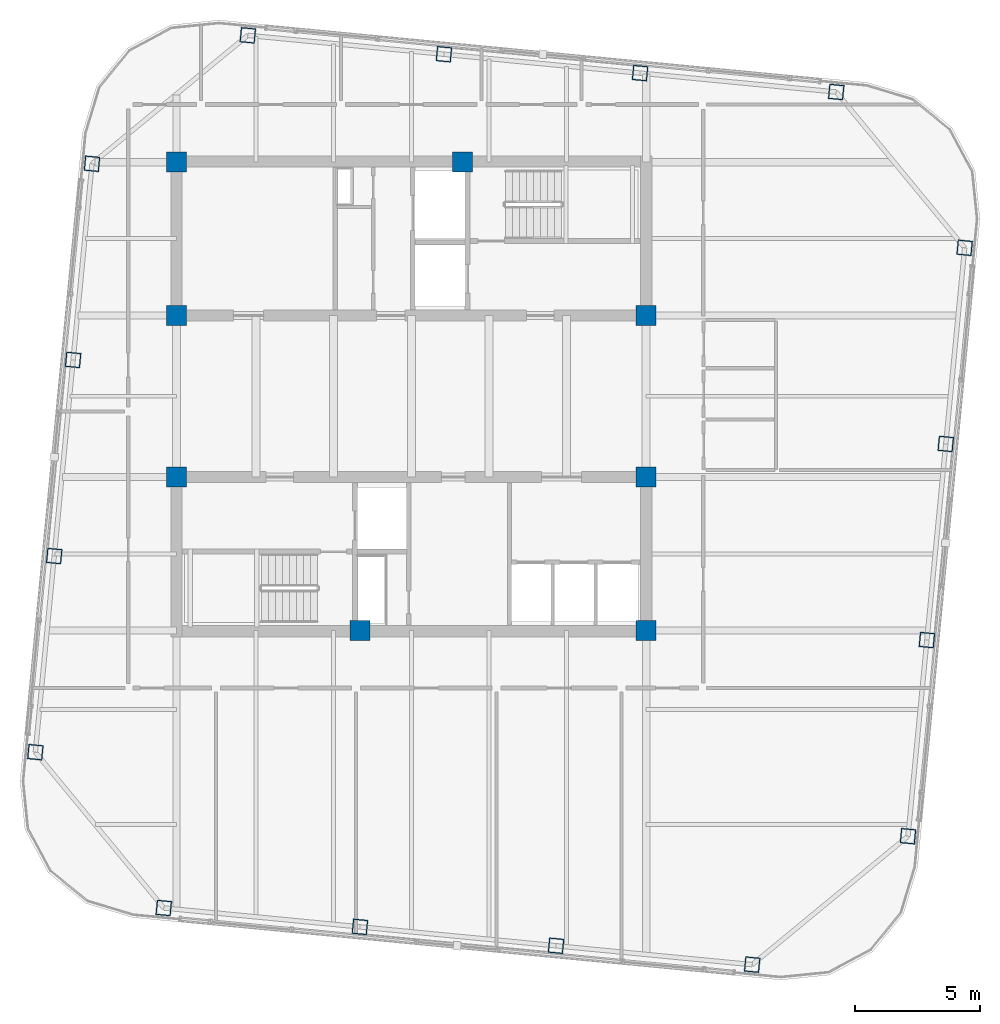
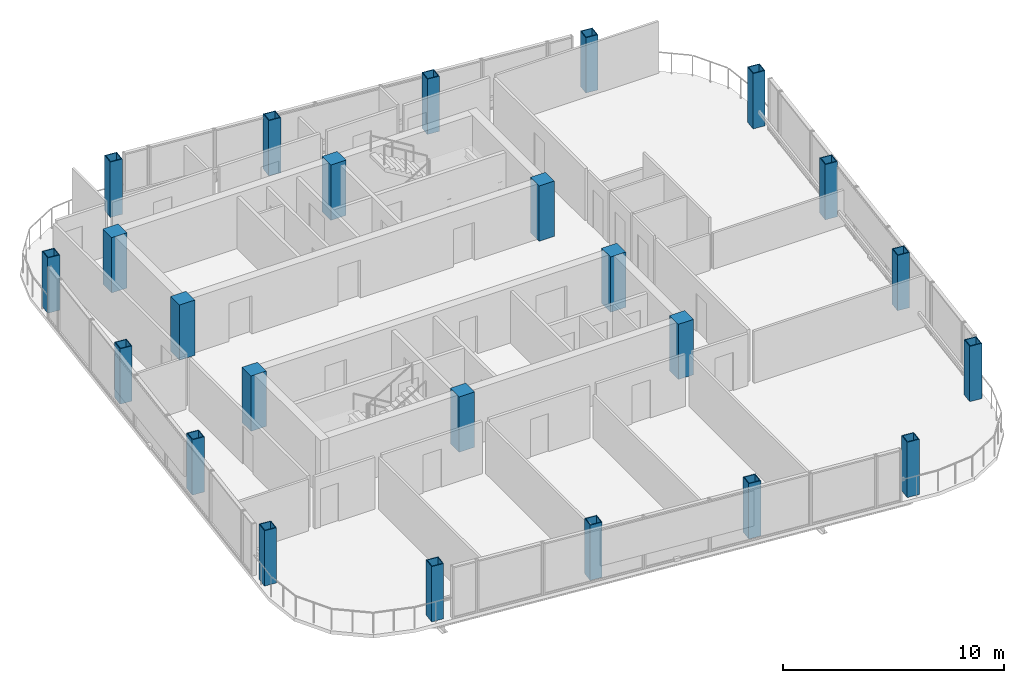
# One storey, part 1 of 27: 24 columns.
"""IFC4 building model written with IfcOpenShell, lengths in metres."""

import ifcopenshell
import ifcopenshell.guid

model = None  # the IFC model being written
_history = None  # IfcOwnerHistory: only IFC2X3 demands one
_inside = {}  # id of a spatial element -> (the spatial element, [elements in it])
_under = {}  # id of a project, library or spatial element -> (it, [spatial elements below it])
_declared = {}  # id of a project -> (the project, [libraries it declares])
_typed = {}  # id of a type object -> (the type object, [elements of that type])
_made_of = {}  # id of a material, layer set ... -> (it, [elements and type objects made of it])


def new_model(schema):
    """Start an empty IFC model of exactly this schema.

    Asked for "IFC4X3", IfcOpenShell would pick the latest addendum, in which some entities
    have other attributes; the version numbers below select the first issue.
    IFC2X3 requires an IfcOwnerHistory on every rooted entity: one is made here for all.
    """
    global model, _history
    if schema == "IFC4X3":
        model = ifcopenshell.file(schema_version=(4, 3, 0, 0))
    else:
        model = ifcopenshell.file(schema=schema)
    _inside.clear()
    _under.clear()
    _declared.clear()
    _typed.clear()
    _made_of.clear()
    _history = None
    if model.schema == "IFC2X3":
        org = make("IfcOrganization", Name="unknown")
        user = make(
            "IfcPersonAndOrganization",
            ThePerson=make("IfcPerson", FamilyName="unknown"),
            TheOrganization=org,
        )
        app = make(
            "IfcApplication",
            ApplicationDeveloper=org,
            Version="unknown",
            ApplicationFullName="unknown",
            ApplicationIdentifier="unknown",
        )
        _history = make(
            "IfcOwnerHistory",
            OwningUser=user,
            OwningApplication=app,
            ChangeAction="ADDED",
            CreationDate=0,
        )
    return model


def make(cls, **values):
    """One entity of the class cls with the attributes given. An attribute that is None is left unset."""
    return model.create_entity(
        cls, **{name: value for name, value in values.items() if value is not None}
    )


def rooted(cls, **values):
    """An entity with a GlobalId (a new one), such as an element, a storey or a relation."""
    return make(cls, GlobalId=ifcopenshell.guid.new(), OwnerHistory=_history, **values)


def si_unit(unit_type, name, prefix=None):
    """IfcSIUnit, for example si_unit("LENGTHUNIT", "METRE", prefix="MILLI")."""
    return make("IfcSIUnit", UnitType=unit_type, Prefix=prefix, Name=name)


def assignment(units):
    """IfcUnitAssignment: the units of a project."""
    return None if units is None else make("IfcUnitAssignment", Units=units)


def point(xyz):
    """IfcCartesianPoint."""
    return None if xyz is None else make("IfcCartesianPoint", Coordinates=xyz)


def direction(xyz):
    """IfcDirection."""
    return None if xyz is None else make("IfcDirection", DirectionRatios=xyz)


def frame(location, z_axis=None, x_axis=None):
    """IfcAxis2Placement3D, a coordinate frame: its origin and axes. An axis left out is left unset."""
    return make(
        "IfcAxis2Placement3D",
        Location=point(location),
        Axis=direction(z_axis),
        RefDirection=direction(x_axis),
    )


def frame_2d(location, x_axis=None):
    """IfcAxis2Placement2D, a coordinate frame in the plane: its origin and x axis."""
    return make(
        "IfcAxis2Placement2D", Location=point(location), RefDirection=direction(x_axis)
    )


def origin():
    """The frame at (0, 0, 0) with its axes left unset."""
    return frame((0.0, 0.0, 0.0))


def origin_2d():
    """The frame at (0, 0) in the plane with its x axis left unset."""
    return frame_2d((0.0, 0.0))


def place(relative_to, where):
    """IfcLocalPlacement: puts the frame where relative to a parent placement (None: the world)."""
    return make(
        "IfcLocalPlacement", PlacementRelTo=relative_to, RelativePlacement=where
    )


def context(
    kind, dimensions, precision=None, world=None, true_north=None, identifier=None
):
    """IfcGeometricRepresentationContext, for example the 3D "Model" context."""
    return make(
        "IfcGeometricRepresentationContext",
        ContextIdentifier=identifier,
        ContextType=kind,
        CoordinateSpaceDimension=dimensions,
        Precision=precision,
        WorldCoordinateSystem=world,
        TrueNorth=true_north,
    )


def subcontext(parent, identifier, kind, view, scale=None):
    """IfcGeometricRepresentationSubContext, for example "Body" below "Model"."""
    return make(
        "IfcGeometricRepresentationSubContext",
        ContextIdentifier=identifier,
        ContextType=kind,
        ParentContext=parent,
        TargetScale=scale,
        TargetView=view,
    )


def project(units=None, contexts=None):
    """IfcProject with its units and contexts."""
    return rooted(
        "IfcProject",
        Name="project",
        RepresentationContexts=contexts,
        UnitsInContext=assignment(units),
    )


def spatial(cls, under=None, at=None, **own):
    """A site, building, storey or space (cls), placed at a placement, below another one or the project."""
    s = rooted(cls, ObjectPlacement=at, **own)
    if under is not None:
        _under.setdefault(under.id(), (under, []))[1].append(s)
    return s


def profile(cls, at=None, kind="AREA", **sizes):
    """A parametric profile (cls). Its sizes go by their IFC names, for example OverallWidth=200.0."""
    return make(cls, ProfileType=kind, Position=at, **sizes)


def rectangle(**sizes):
    """IfcRectangleProfileDef."""
    return profile("IfcRectangleProfileDef", **sizes)


def hollow_rectangle(**sizes):
    """IfcRectangleHollowProfileDef."""
    return profile("IfcRectangleHollowProfileDef", **sizes)


def extrude(swept, where, along, depth):
    """IfcExtrudedAreaSolid: the profile swept, set in the frame where, extruded along a direction by depth."""
    return make(
        "IfcExtrudedAreaSolid",
        SweptArea=swept,
        Position=where,
        ExtrudedDirection=direction(along),
        Depth=depth,
    )


def shape(context_of_items, identifier, shape_type, items):
    """IfcShapeRepresentation: the items that make up one representation, for example the "Body"."""
    return make(
        "IfcShapeRepresentation",
        ContextOfItems=context_of_items,
        RepresentationIdentifier=identifier,
        RepresentationType=shape_type,
        Items=items,
    )


def material(Name=None, Category=None):
    """IfcMaterial."""
    return make("IfcMaterial", Name=Name, Category=Category)


def material_profile(
    of_material, cross_section, Name=None, Category=None, Priority=None
):
    """IfcMaterialProfile: a cross section and its material."""
    return make(
        "IfcMaterialProfile",
        Name=Name,
        Material=of_material,
        Profile=cross_section,
        Priority=Priority,
        Category=Category,
    )


def profile_set(profiles, Name=None, composite=None):
    """IfcMaterialProfileSet."""
    return make(
        "IfcMaterialProfileSet",
        Name=Name,
        MaterialProfiles=profiles,
        CompositeProfile=composite,
    )


def made_of(thing, what):
    """Note that an element or type object is made of a material, layer set ...; save() writes the relation."""
    if what is not None:
        _made_of.setdefault(what.id(), (what, []))[1].append(thing)
    return thing


def type_object(cls, material=None, **own):
    """A type object (cls), such as IfcWallType, which elements share."""
    return made_of(rooted(cls, **own), material)


def element(
    cls,
    number,
    at=None,
    inside=None,
    cuts=None,
    type_object=None,
    material=None,
    context=None,
    identifier="Body",
    shape_type=None,
    held_by="IfcProductDefinitionShape",
    body=None,
    shapes=None,
    **own,
):
    """One element of the class cls, such as IfcWall. Its Tag is "e" and its number.

    at: its placement. inside: the storey or other place that contains it. cuts: it is an
    opening in that element (IfcRelVoidsElement). A single representation is given by context,
    identifier, shape_type and body (its items); several are given by shapes. held_by: the class
    of the entity that holds the representations. save() writes the other relations.
    """
    e = rooted(cls, Tag="e%d" % number, ObjectPlacement=at, **own)
    if body is not None:
        shapes = [shape(context, identifier, shape_type, body)]
    if shapes is not None:
        e.Representation = make(held_by, Representations=shapes)
    if inside is not None:
        _inside.setdefault(inside.id(), (inside, []))[1].append(e)
    if cuts is not None:
        rooted(
            "IfcRelVoidsElement", RelatingBuildingElement=cuts, RelatedOpeningElement=e
        )
    if type_object is not None:
        _typed.setdefault(type_object.id(), (type_object, []))[1].append(e)
    return made_of(e, material)


def aggregate(whole, parts):
    """IfcRelAggregates: a whole, such as a stair, and the parts it consists of."""
    return rooted("IfcRelAggregates", RelatingObject=whole, RelatedObjects=parts)


def save(model, path):
    """Write the relations noted so far, then the file.

    IfcRelAggregates (storeys below a building ...), IfcRelContainedInSpatialStructure (elements
    in a storey), IfcRelDefinesByType, IfcRelAssociatesMaterial and IfcRelDeclares: one each for
    every whole, place, type object, material and project.
    """
    for whole, parts in _under.values():
        aggregate(whole, parts)
    for where, things in _inside.values():
        rooted(
            "IfcRelContainedInSpatialStructure",
            RelatedElements=things,
            RelatingStructure=where,
        )
    for kind, things in _typed.values():
        rooted("IfcRelDefinesByType", RelatedObjects=things, RelatingType=kind)
    for what, things in _made_of.values():
        rooted("IfcRelAssociatesMaterial", RelatedObjects=things, RelatingMaterial=what)
    for by, libraries in _declared.values():
        rooted("IfcRelDeclares", RelatingContext=by, RelatedDefinitions=libraries)
    model.write(path)


model = new_model("IFC4")

# Units and contexts
model_context = context("Model", 3, precision=1e-05, world=origin(), true_north=direction((0.0, 1.0)))
body_context = subcontext(model_context, "Body", "Model", "MODEL_VIEW")
ifc_project = project(units=[si_unit("LENGTHUNIT", "METRE"), si_unit("AREAUNIT", "SQUARE_METRE"), si_unit("VOLUMEUNIT", "CUBIC_METRE"), si_unit("PLANEANGLEUNIT", "RADIAN"), si_unit("MASSUNIT", "GRAM", prefix="KILO")], contexts=[model_context])

# Site, building, storey
site_placement = place(None, origin())
site = spatial("IfcSite", under=ifc_project, at=site_placement, CompositionType="ELEMENT")
building_placement = place(site_placement, origin())
building = spatial("IfcBuilding", under=site, at=building_placement, Name="Qhalaya Broadcast Tower", CompositionType="ELEMENT")
storey_placement = place(building_placement, frame((0.0, 0.0, 258.10009765625)))
storey = spatial("IfcBuildingStorey", under=building, at=storey_placement, Name="L76", CompositionType="ELEMENT", Elevation=258.10009765625)

# Columns
ifc_material_1 = material(Name="Concrete C50/60", Category="concrete")
ifc_material_profile_1 = material_profile(ifc_material_1, rectangle(XDim=0.800048828125, YDim=0.800048828125, at=origin_2d()), Name="RC-COL 800x800")
ifc_profile_set_1 = profile_set([ifc_material_profile_1], Name="Concrete C50/60")
column_type_1 = type_object("IfcColumnType", Name="RC Upper Column C10", PredefinedType="COLUMN", material=ifc_profile_set_1)
for number, where, z_axis, x_axis, name in (
    (1, (-9.375, 9.949951171875, 0.0), (0.0, 0.0, 1.0), (1.0, 0.0, 0.0), "L76 Column COL-CC1"),
    (2, (2.050048828125, 9.949951171875, 0.0), (0.0, 0.0, 1.0), (1.0, 0.0, 0.0), "L76 Column COL-CC2"),
    (3, (-9.375, 3.824951171875, 0.0), (0.0, 0.0, 1.0), (1.0, 0.0, 0.0), "L76 Column COL-CC3"),
    (4, (9.375, 3.824951171875, 0.0), (0.0, 0.0, 1.0), (1.0, 0.0, 0.0), "L76 Column COL-CC4"),
    (5, (-9.375, -2.625, 0.0), (0.0, 0.0, 1.0), (1.0, 0.0, 0.0), "L76 Column COL-CC5"),
    (6, (9.375, -2.625, 0.0), (0.0, 0.0, 1.0), (1.0, 0.0, 0.0), "L76 Column COL-CC6"),
    (7, (-2.050048828125, -8.75, 0.0), (0.0, 0.0, 1.0), (1.0, 0.0, 0.0), "L76 Column COL-CC7"),
    (8, (9.375, -8.75, 0.0), (0.0, 0.0, 1.0), (1.0, 0.0, 0.0), "L76 Column COL-CC8"),
):
    element("IfcColumn", number, at=place(storey_placement, frame(where, z_axis=z_axis, x_axis=x_axis)), inside=storey, type_object=column_type_1, Name=name, PredefinedType="COLUMN", context=body_context, shape_type="SweptSolid", body=[
        extrude(rectangle(XDim=0.800048828125, YDim=0.800048828125, at=origin_2d()), origin(), (0.0, 0.0, 1.0), 3.0498046875),
    ])
ifc_material_2 = material(Name="Structural Steel ASTM A572 Grade 50", Category="steel")
ifc_material_profile_2 = material_profile(ifc_material_2, hollow_rectangle(XDim=0.60009765625, YDim=0.60009765625, WallThickness=0.0400390625, at=origin_2d()), Name="BOX 600x600x40")
ifc_profile_set_2 = profile_set([ifc_material_profile_2], Name="Structural Steel ASTM A572 Grade 50")
column_type_2 = type_object("IfcColumnType", Name="Steel Box Column C05", PredefinedType="COLUMN", material=ifc_profile_set_2)
for number, where, z_axis, x_axis, name in (
    (9, (-9.883056640625, -19.82861328125, 0.0), (0.0, 0.0, 1.0), (0.995396198367, -0.09584575252, 0.0), "L76 Column COL-EX01"),
    (10, (-2.052490234375, -20.58251953125, 0.0), (0.0, 0.0, 1.0), (0.995396198367, -0.09584575252, 0.0), "L76 Column COL-EX02"),
    (11, (5.77783203125, -21.33642578125, 0.0), (0.0, 0.0, 1.0), (0.995396198367, -0.09584575252, 0.0), "L76 Column COL-EX03"),
    (12, (13.6083984375, -22.09033203125, 0.0), (0.0, 0.0, 1.0), (0.995396198367, -0.09584575252, 0.0), "L76 Column COL-EX04"),
    (13, (19.82861328125, -16.962890625, 0.0), (0.0, 0.0, 1.0), (0.09584575252, 0.995396198367, 0.0), "L76 Column COL-EX05"),
    (14, (20.58251953125, -9.132568359375, 0.0), (0.0, 0.0, 1.0), (0.09584575252, 0.995396198367, 0.0), "L76 Column COL-EX06"),
    (15, (21.33642578125, -1.302001953125, 0.0), (0.0, 0.0, 1.0), (0.09584575252, 0.995396198367, 0.0), "L76 Column COL-EX07"),
    (16, (22.09033203125, 6.5283203125, 0.0), (0.0, 0.0, 1.0), (0.09584575252, 0.995396198367, 0.0), "L76 Column COL-EX08"),
    (17, (16.962890625, 12.74853515625, 0.0), (0.0, 0.0, 1.0), (0.995396198367, -0.09584575252, 0.0), "L76 Column COL-EX09"),
    (18, (9.132568359375, 13.50244140625, 0.0), (0.0, 0.0, 1.0), (0.995396198367, -0.09584575252, 0.0), "L76 Column COL-EX10"),
    (19, (1.302001953125, 14.25634765625, 0.0), (0.0, 0.0, 1.0), (0.995396198367, -0.09584575252, 0.0), "L76 Column COL-EX11"),
    (20, (-6.5283203125, 15.010498046875, 0.0), (0.0, 0.0, 1.0), (0.995396198367, -0.09584575252, 0.0), "L76 Column COL-EX12"),
    (21, (-12.74853515625, 9.883056640625, 0.0), (0.0, 0.0, 1.0), (0.09584575252, 0.995396198367, 0.0), "L76 Column COL-EX13"),
    (22, (-13.50244140625, 2.052490234375, 0.0), (0.0, 0.0, 1.0), (0.09584575252, 0.995396198367, 0.0), "L76 Column COL-EX14"),
    (23, (-14.25634765625, -5.77783203125, 0.0), (0.0, 0.0, 1.0), (0.09584575252, 0.995396198367, 0.0), "L76 Column COL-EX15"),
    (24, (-15.010498046875, -13.6083984375, 0.0), (0.0, 0.0, 1.0), (0.09584575252, 0.995396198367, 0.0), "L76 Column COL-EX16"),
):
    element("IfcColumn", number, at=place(storey_placement, frame(where, z_axis=z_axis, x_axis=x_axis)), inside=storey, type_object=column_type_2, Name=name, PredefinedType="COLUMN", context=body_context, shape_type="SweptSolid", body=[
        extrude(hollow_rectangle(XDim=0.60009765625, YDim=0.60009765625, WallThickness=0.0400390625, at=origin_2d()), origin(), (0.0, 0.0, 1.0), 3.0498046875),
    ])

save(model, "model.ifc")
